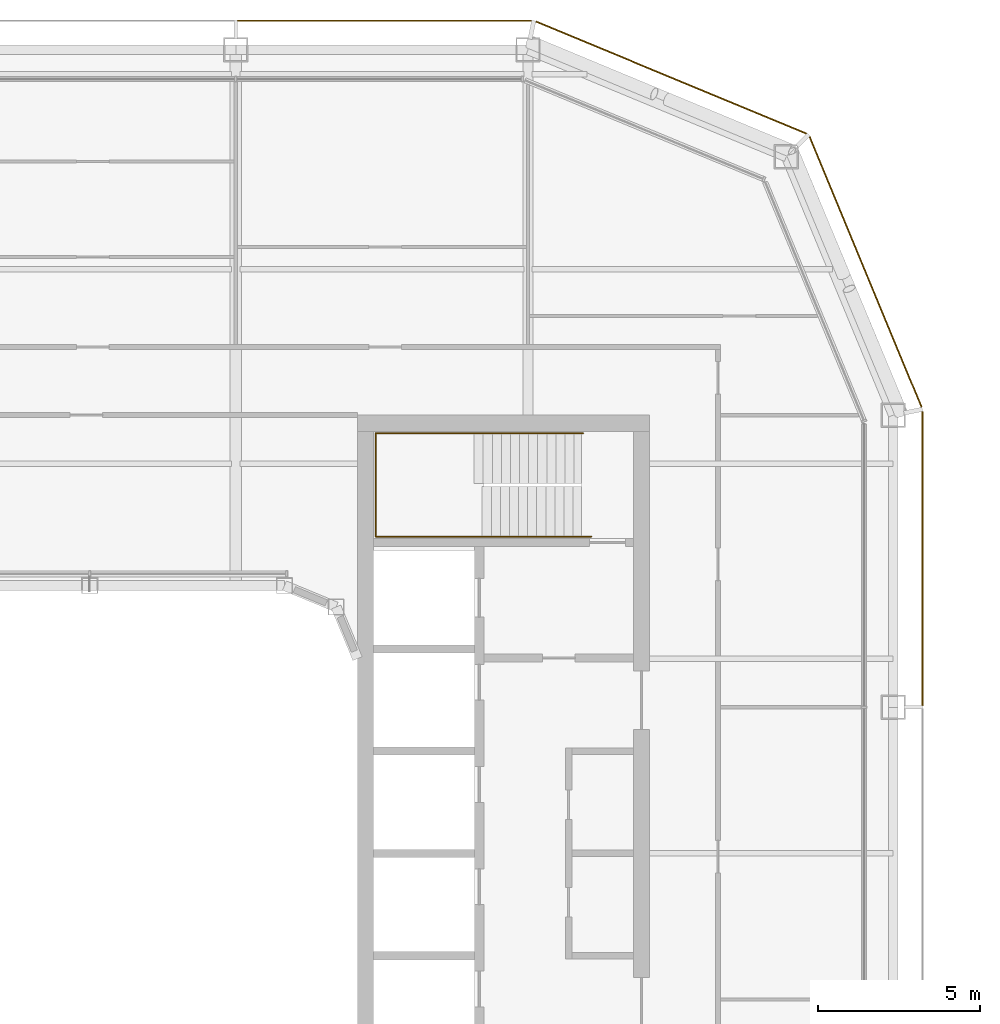
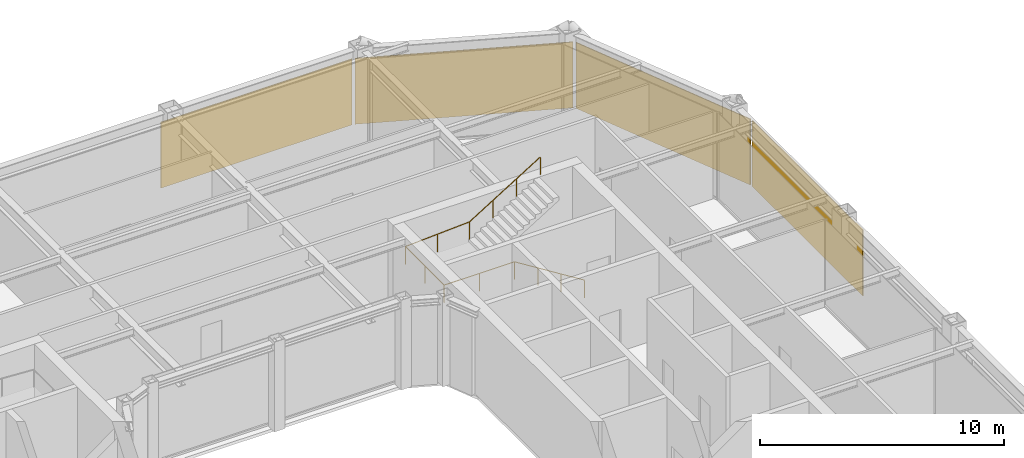
# One storey, part 20 of 21: 4 coverings, 1 railing.
"""IFC4 building model written with IfcOpenShell, lengths in metres."""

from ifc_helpers import new_model, si_unit, direction, frame, origin, origin_2d, place, context, subcontext, project, spatial, rectangle, circle, extrude, material, layer, layer_set, type_object, element, save


model = new_model("IFC4")

# Units and contexts
model_context = context("Model", 3, precision=1e-05, world=origin(), true_north=direction((0.0, 1.0)))
body_context = subcontext(model_context, "Body", "Model", "MODEL_VIEW")
ifc_project = project(units=[si_unit("LENGTHUNIT", "METRE"), si_unit("AREAUNIT", "SQUARE_METRE"), si_unit("VOLUMEUNIT", "CUBIC_METRE"), si_unit("PLANEANGLEUNIT", "RADIAN"), si_unit("MASSUNIT", "GRAM", prefix="KILO")], contexts=[model_context])

# Site, building, storey
site_placement = place(None, origin())
site = spatial("IfcSite", under=ifc_project, at=site_placement, CompositionType="ELEMENT")
building_placement = place(site_placement, origin())
building = spatial("IfcBuilding", under=site, at=building_placement, Name="Siwar Civic Tower", CompositionType="ELEMENT")
storey_placement = place(building_placement, frame((0.0, 0.0, 303.199951171875)))
storey = spatial("IfcBuildingStorey", under=building, at=storey_placement, Name="L65", CompositionType="ELEMENT", Elevation=303.199951171875)

# Railing
ifc_material_1 = material(Name="Stainless steel", Category="steel")
railing_type = type_object("IfcRailingType", Name="CORE-STAIR-HANDRAIL", PredefinedType="HANDRAIL", material=ifc_material_1)
railing_placement = place(storey_placement, frame((15.449951171875, 9.758056640625, 0.173095703125)))
element("IfcRailing", 1, at=railing_placement, inside=storey, type_object=railing_type, Name="Stair handrail ST3", PredefinedType="HANDRAIL", context=body_context, shape_type="SweptSolid", body=[
    extrude(circle(Radius=0.02001953125, at=origin_2d()), frame((0.0, 0.0, 0.8798828125), z_axis=(-0.847063342986, 0.0, 0.531491950051), x_axis=(0.0, -1.0, 0.0)), (0.0, 0.0, 1.0), 3.90771484375),
    extrude(circle(Radius=0.02001953125, at=origin_2d()), frame((-3.31005859375, 0.0, 2.956787109375), z_axis=(-1.0, 0.0, 0.0), x_axis=(0.0, -1.0, 0.0)), (0.0, 0.0, 1.0), 3.331787109375),
    extrude(circle(Radius=0.02001953125, at=origin_2d()), frame((-6.641845703125, 0.0, 2.956787109375), z_axis=(0.0, 1.0, 0.0), x_axis=(-1.0, 0.0, 0.0)), (0.0, 0.0, 1.0), 3.183837890625),
    extrude(circle(Radius=0.02001953125, at=origin_2d()), frame((-6.641845703125, 3.183837890625, 2.956787109375), z_axis=(0.99837434197, 0.0, 0.056997134106), x_axis=(0.0, 1.0, 0.0)), (0.0, 0.0, 1.0), 3.036865234375),
    extrude(circle(Radius=0.02001953125, at=origin_2d()), frame((-3.60986328125, 3.183837890625, 3.1298828125), z_axis=(0.850606129759, 0.0, 0.525803396734), x_axis=(0.0, 1.0, 0.0)), (0.0, 0.0, 1.0), 3.949951171875),
    extrude(circle(Radius=0.02001953125, at=origin_2d()), origin(), (0.0, 0.0, 1.0), 0.85986328125),
    extrude(circle(Radius=0.02001953125, at=origin_2d()), frame((-1.103271484375, 0.0, 0.6923828125)), (0.0, 0.0, 1.0), 0.85986328125),
    extrude(circle(Radius=0.02001953125, at=origin_2d()), frame((-2.206787109375, 0.0, 1.384521484375)), (0.0, 0.0, 1.0), 0.85986328125),
    extrude(circle(Radius=0.02001953125, at=origin_2d()), frame((-3.31005859375, 0.0, 2.076904296875)), (0.0, 0.0, 1.0), 0.85986328125),
    extrude(circle(Radius=0.02001953125, at=origin_2d()), frame((-4.97607421875, 0.0, 2.076904296875)), (0.0, 0.0, 1.0), 0.85986328125),
    extrude(circle(Radius=0.02001953125, at=origin_2d()), frame((-6.641845703125, 0.0, 2.076904296875)), (0.0, 0.0, 1.0), 0.85986328125),
    extrude(circle(Radius=0.02001953125, at=origin_2d()), frame((-6.641845703125, 1.591796875, 2.076904296875)), (0.0, 0.0, 1.0), 0.85986328125),
    extrude(circle(Radius=0.02001953125, at=origin_2d()), frame((-6.641845703125, 3.183837890625, 2.076904296875)), (0.0, 0.0, 1.0), 0.85986328125),
    extrude(circle(Radius=0.02001953125, at=origin_2d()), frame((-5.1259765625, 3.183837890625, 2.16357421875)), (0.0, 0.0, 1.0), 0.85986328125),
    extrude(circle(Radius=0.02001953125, at=origin_2d()), frame((-3.60986328125, 3.183837890625, 2.25)), (0.0, 0.0, 1.0), 0.85986328125),
    extrude(circle(Radius=0.02001953125, at=origin_2d()), frame((-2.489990234375, 3.183837890625, 2.9423828125)), (0.0, 0.0, 1.0), 0.85986328125),
    extrude(circle(Radius=0.02001953125, at=origin_2d()), frame((-1.369873046875, 3.183837890625, 3.634521484375)), (0.0, 0.0, 1.0), 0.85986328125),
    extrude(circle(Radius=0.02001953125, at=origin_2d()), frame((-0.25, 3.183837890625, 4.326904296875)), (0.0, 0.0, 1.0), 0.85986328125),
])

# Coverings
ifc_material_2 = material(Name="Perforated aluminium cassette, pale metal", Category="aluminium")
ifc_layer = layer(ifc_material_2, 0.0400390625)
ifc_layer_set = layer_set([ifc_layer], Name="Perforated aluminium cassette, pale metal")
covering_type = type_object("IfcCoveringType", Name="ENV-OUTER SKIN OS-1", PredefinedType="CLADDING", material=ifc_layer_set)
covering_1_placement = place(storey_placement, frame((25.64990234375, 9.07958984375, -0.14990234375), z_axis=(0.0, 0.0, 1.0), x_axis=(0.0, 1.0, 0.0)))
element("IfcCovering", 2, at=covering_1_placement, inside=storey, type_object=covering_type, Name="OUTER SKIN OS-1 E 3", PredefinedType="CLADDING", context=body_context, shape_type="SweptSolid", body=[
    extrude(rectangle(XDim=9.05908203125, YDim=0.0400390625, at=origin_2d()), origin(), (0.0, 0.0, 1.0), 3.300048828125),
])
for number, where, z_axis, x_axis, name in (
    (3, (23.89697265625, 17.911376953125, -0.14990234375), (0.0, 0.0, 1.0), (-0.382683432365, 0.923879532511, 0.0), "OUTER SKIN OS-1 NE1 1"),
    (4, (17.911376953125, 23.89697265625, -0.14990234375), (0.0, 0.0, 1.0), (-0.923879532511, 0.382683432365, 0.0), "OUTER SKIN OS-1 NE2 1"),
):
    element("IfcCovering", number, at=place(storey_placement, frame(where, z_axis=z_axis, x_axis=x_axis)), inside=storey, type_object=covering_type, Name=name, PredefinedType="CLADDING", context=body_context, shape_type="SweptSolid", body=[
        extrude(rectangle(XDim=9.022216796875, YDim=0.0400390625, at=origin_2d()), origin(), (0.0, 0.0, 1.0), 3.300048828125),
    ])
covering_2_placement = place(storey_placement, frame((9.07958984375, 25.64990234375, -0.14990234375), z_axis=(0.0, 0.0, 1.0), x_axis=(-1.0, 0.0, 0.0)))
element("IfcCovering", 5, at=covering_2_placement, inside=storey, type_object=covering_type, Name="OUTER SKIN OS-1 N 1", PredefinedType="CLADDING", context=body_context, shape_type="SweptSolid", body=[
    extrude(rectangle(XDim=9.05908203125, YDim=0.0400390625, at=origin_2d()), origin(), (0.0, 0.0, 1.0), 3.300048828125),
])

save(model, "model.ifc")
